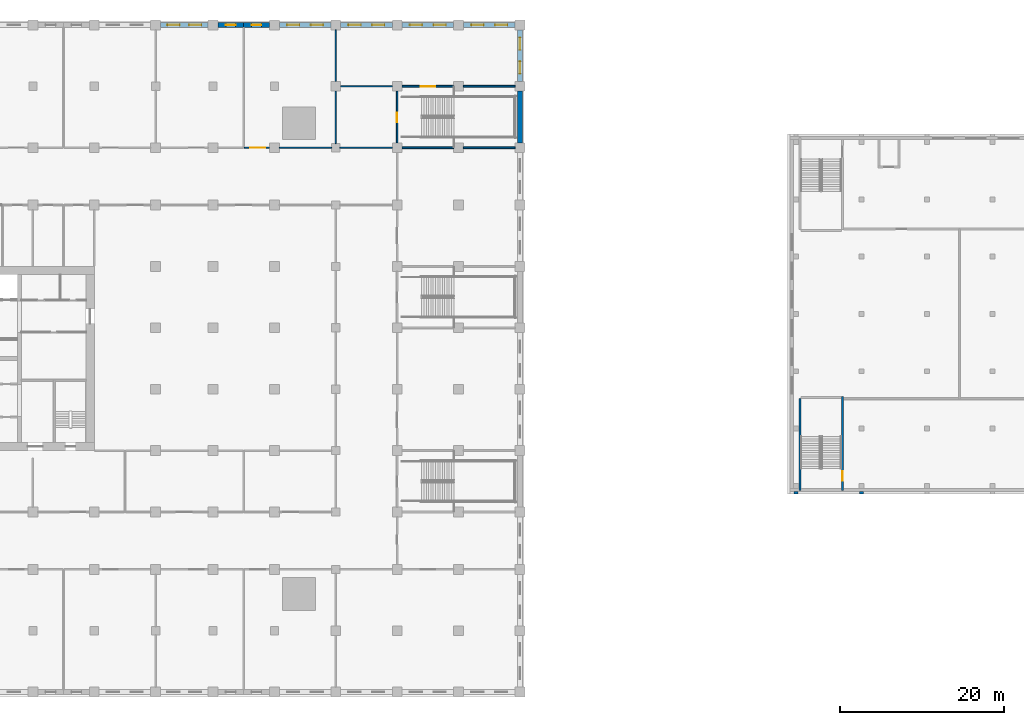
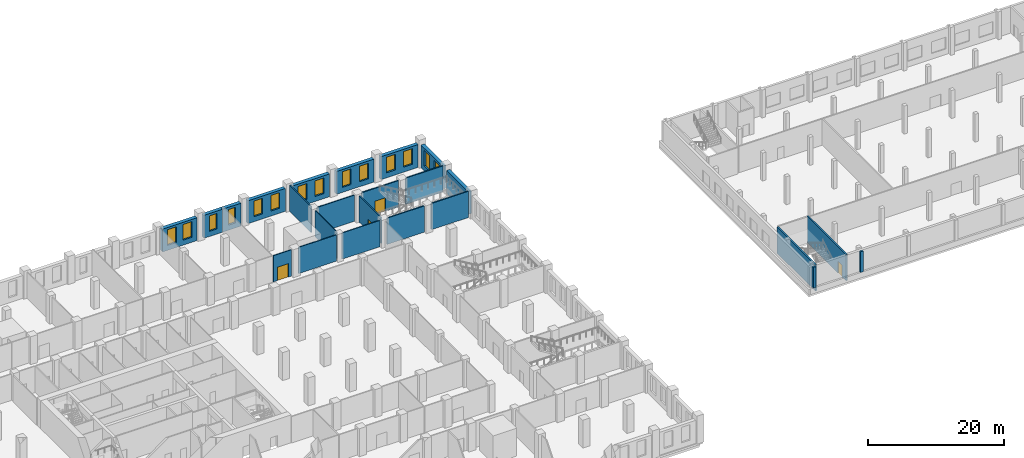
# One storey, part 10 of 32: 24 walls, 14 windows, 4 doors, 18 openings.
"""IFC4 building model written with IfcOpenShell, lengths in metres."""

from ifc_helpers import new_model, si_unit, direction, frame, frame_2d, origin, place, context, subcontext, project, spatial, rectangle, extrude, material, layer, layer_set, type_object, element, fill, save


model = new_model("IFC4")

# Units and contexts
model_context = context("Model", 3, precision=1e-05, world=origin(), true_north=direction((0.0, 1.0)))
body_context = subcontext(model_context, "Body", "Model", "MODEL_VIEW")
ifc_project = project(units=[si_unit("LENGTHUNIT", "METRE"), si_unit("AREAUNIT", "SQUARE_METRE"), si_unit("VOLUMEUNIT", "CUBIC_METRE"), si_unit("PLANEANGLEUNIT", "RADIAN"), si_unit("MASSUNIT", "GRAM", prefix="KILO")], contexts=[model_context])

# Site, building, storey
site_placement = place(None, origin())
site = spatial("IfcSite", under=ifc_project, at=site_placement, CompositionType="ELEMENT")
building_placement = place(site_placement, origin())
building = spatial("IfcBuilding", under=site, at=building_placement, Name="Tamorin Gate", CompositionType="ELEMENT")
storey_placement = place(building_placement, frame((0.0, 0.0, 18.5)))
storey = spatial("IfcBuildingStorey", under=building, at=storey_placement, Name="L03", CompositionType="ELEMENT", Elevation=18.5)

# Wall
ifc_material_1 = material(Name="Concrete C40/50", Category="concrete")
ifc_layer_1 = layer(ifc_material_1, 0.25)
ifc_layer_set_1 = layer_set([ifc_layer_1], Name="Museum stair and lift enclosure wall 250 C40/50")
wall_type_1 = type_object("IfcWallType", Name="Museum stair and lift enclosure wall 250 C40/50", PredefinedType="SHEAR", material=ifc_layer_set_1)
wall_1_placement = place(storey_placement, frame((146.175048828125, 55.14990234375, 0.0), z_axis=(0.0, 0.0, 1.0), x_axis=(0.0, 1.0, 0.0)))
element("IfcWall", 1, at=wall_1_placement, inside=storey, type_object=wall_type_1, Name="Stair PS8 wall", PredefinedType="SHEAR", context=body_context, shape_type="SweptSolid", body=[
    extrude(rectangle(XDim=11.210205078125, YDim=0.25, at=frame_2d((5.60498046875, 0.0))), origin(), (0.0, 0.0, 1.0), 4.699951171875),
])

# Wall, opening, door
wall_2_placement = place(storey_placement, frame((151.375, 55.14990234375, 0.0), z_axis=(0.0, 0.0, 1.0), x_axis=(0.0, 1.0, 0.0)))
wall_2 = element("IfcWall", 2, at=wall_2_placement, inside=storey, type_object=wall_type_1, Name="Stair PS8 wall", PredefinedType="SHEAR", context=body_context, shape_type="SweptSolid", body=[
    extrude(rectangle(XDim=11.460205078125, YDim=0.25, at=frame_2d((5.72998046875, 0.0))), origin(), (0.0, 0.0, 1.0), 4.699951171875),
])
opening_1_placement = place(wall_2_placement, frame((1.14990234375, 0.0, 0.0)))
opening_1 = element("IfcOpeningElement", 3, at=opening_1_placement, cuts=wall_2, Name="Opening DM17", PredefinedType="OPENING", context=body_context, shape_type="SweptSolid", body=[
    extrude(rectangle(XDim=1.199951171875, YDim=2.10009765625, at=frame_2d((0.60009765625, 1.050048828125))), frame((0.0, 0.135009765625, 0.0), z_axis=(0.0, -1.0, 0.0), x_axis=(1.0, 0.0, 0.0)), (0.0, 0.0, 1.0), 0.27001953125),
])
ifc_material_2 = material(Name="Steel, painted", Category="steel")
door_type_1 = type_object("IfcDoorType", Name="Museum stair door 1200x2100 FD90", OperationType="SINGLE_SWING_LEFT", PredefinedType="DOOR", material=ifc_material_2)
door_1_placement = place(opening_1_placement, origin())
door_1 = element("IfcDoor", 4, at=door_1_placement, inside=storey, type_object=door_type_1, Name="Stair door", OperationType="SINGLE_SWING_LEFT", OverallHeight=2.10009765625, OverallWidth=1.199951171875, PredefinedType="DOOR", context=body_context, shape_type="SweptSolid", body=[
    extrude(rectangle(XDim=1.199951171875, YDim=2.10009765625, at=frame_2d((0.60009765625, 1.050048828125))), frame((0.0, 0.02490234375, 0.0), z_axis=(0.0, -1.0, 0.0), x_axis=(1.0, 0.0, 0.0)), (0.0, 0.0, 1.0), 0.050048828125),
])
fill(opening_1, door_1)

ifc_material_3 = material(Name="Concrete masonry C20/25", Category="masonry")
ifc_layer_2 = layer(ifc_material_3, 0.14990234375)
ifc_layer_set_2 = layer_set([ifc_layer_2], Name="Partition 150")
wall_type_2 = type_object("IfcWallType", Name="Partition 150", PredefinedType="PARTITIONING", material=ifc_layer_set_2)
wall_3_placement = place(storey_placement, frame((81.39990234375, 97.0, 0.0), z_axis=(0.0, 0.0, 1.0), x_axis=(-1.0, 0.0, 0.0)))
wall_3 = element("IfcWall", 5, at=wall_3_placement, inside=storey, type_object=wall_type_2, Name="Partition 150 L03", PredefinedType="PARTITIONING", context=body_context, shape_type="SweptSolid", body=[
    extrude(rectangle(XDim=3.074951171875, YDim=0.14990234375, at=frame_2d((1.53759765625, 0.0))), origin(), (0.0, 0.0, 1.0), 4.699951171875),
])
opening_2_placement = place(wall_3_placement, frame((0.52490234375, 0.0, 0.0)))
opening_2 = element("IfcOpeningElement", 6, at=opening_2_placement, cuts=wall_3, Name="Opening DP3", PredefinedType="OPENING", context=body_context, shape_type="SweptSolid", body=[
    extrude(rectangle(XDim=1.800048828125, YDim=2.39990234375, at=frame_2d((0.89990234375, 1.199951171875))), frame((0.0, 0.0849609375, 0.0), z_axis=(0.0, -1.0, 0.0), x_axis=(1.0, 0.0, 0.0)), (0.0, 0.0, 1.0), 0.169921875),
])
ifc_material_4 = material(Name="Steel and glass", Category="steel")
door_type_2 = type_object("IfcDoorType", Name="Door pair 1800", OperationType="DOUBLE_DOOR_SINGLE_SWING", PredefinedType="DOOR", material=ifc_material_4)
door_2_placement = place(opening_2_placement, origin())
door_2 = element("IfcDoor", 7, at=door_2_placement, inside=storey, type_object=door_type_2, Name="Door pair 1800 L03", OperationType="SINGLE_SWING_LEFT", OverallHeight=2.39990234375, OverallWidth=1.800048828125, PredefinedType="DOOR", context=body_context, shape_type="SweptSolid", body=[
    extrude(rectangle(XDim=1.800048828125, YDim=2.39990234375, at=frame_2d((0.89990234375, 1.199951171875))), frame((0.0, 0.02490234375, 0.0), z_axis=(0.0, -1.0, 0.0), x_axis=(1.0, 0.0, 0.0)), (0.0, 0.0, 1.0), 0.050048828125),
])
fill(opening_2, door_2)

# Walls
for number, where, z_axis, x_axis, name in (
    (8, (82.60009765625, 97.0, 0.0), (0.0, 0.0, 1.0), (1.0, 0.0, 0.0), "Partition 150 L03"),
    (9, (90.0, 97.0, 0.0), (0.0, 0.0, 1.0), (1.0, 0.0, 0.0), "Partition 150 L03"),
):
    element("IfcWall", number, at=place(storey_placement, frame(where, z_axis=z_axis, x_axis=x_axis)), inside=storey, type_object=wall_type_2, Name=name, PredefinedType="PARTITIONING", context=body_context, shape_type="SweptSolid", body=[
        extrude(rectangle(XDim=6.39990234375, YDim=0.14990234375, at=frame_2d((3.199951171875, 0.0))), origin(), (0.0, 0.0, 1.0), 4.699951171875),
    ])
wall_4_placement = place(storey_placement, frame((90.10009765625, 104.5, 0.0), z_axis=(0.0, 0.0, 1.0), x_axis=(1.0, 0.0, 0.0)))
element("IfcWall", 10, at=wall_4_placement, inside=storey, type_object=wall_type_2, Name="Partition 150 L03", PredefinedType="PARTITIONING", context=body_context, shape_type="SweptSolid", body=[
    extrude(rectangle(XDim=6.2998046875, YDim=0.14990234375, at=frame_2d((3.14990234375, 0.0))), origin(), (0.0, 0.0, 1.0), 4.699951171875),
])
wall_5_placement = place(storey_placement, frame((89.5, 97.5, 0.0), z_axis=(0.0, 0.0, 1.0), x_axis=(0.0, 1.0, 0.0)))
element("IfcWall", 11, at=wall_5_placement, inside=storey, type_object=wall_type_2, Name="Partition 150 L03", PredefinedType="PARTITIONING", context=body_context, shape_type="SweptSolid", body=[
    extrude(rectangle(XDim=6.39990234375, YDim=0.14990234375, at=frame_2d((3.199951171875, 0.0))), origin(), (0.0, 0.0, 1.0), 4.699951171875),
])
wall_6_placement = place(storey_placement, frame((89.5, 105.10009765625, 0.0), z_axis=(0.0, 0.0, 1.0), x_axis=(0.0, 1.0, 0.0)))
element("IfcWall", 12, at=wall_6_placement, inside=storey, type_object=wall_type_2, Name="Partition 150 L03", PredefinedType="PARTITIONING", context=body_context, shape_type="SweptSolid", body=[
    extrude(rectangle(XDim=6.2998046875, YDim=0.14990234375, at=frame_2d((3.14990234375, 0.0))), origin(), (0.0, 0.0, 1.0), 4.699951171875),
])

# Wall, openings, windows
ifc_material_5 = material(Name="Precast concrete C40/50", Category="concrete")
ifc_layer_3 = layer(ifc_material_5, 0.60009765625)
ifc_layer_set_3 = layer_set([ifc_layer_3], Name="Precast concrete C40/50")
wall_type_3 = type_object("IfcWallType", Name="Precast plinth wall 600", PredefinedType="PARTITIONING", material=ifc_layer_set_3)
wall_7_placement = place(storey_placement, frame((68.10009765625, 112.0, 0.0), z_axis=(0.0, 0.0, 1.0), x_axis=(1.0, 0.0, 0.0)))
wall_7 = element("IfcWall", 13, at=wall_7_placement, inside=storey, type_object=wall_type_3, Name="Precast plinth wall 600 L03", PredefinedType="PARTITIONING", context=body_context, shape_type="SweptSolid", body=[
    extrude(rectangle(XDim=5.7998046875, YDim=0.60009765625, at=frame_2d((2.89990234375, 0.0))), origin(), (0.0, 0.0, 1.0), 4.10009765625),
])
opening_3_placement = place(wall_7_placement, frame((0.81591796875, 0.0, 0.89990234375)))
opening_3 = element("IfcOpeningElement", 14, at=opening_3_placement, cuts=wall_7, Name="Opening PWN5", PredefinedType="OPENING", context=body_context, shape_type="SweptSolid", body=[
    extrude(rectangle(XDim=1.5, YDim=2.800048828125, at=frame_2d((0.75, 1.39990234375))), frame((0.0, 0.31005859375, 0.0), z_axis=(0.0, -1.0, 0.0), x_axis=(1.0, 0.0, 0.0)), (0.0, 0.0, 1.0), 0.6201171875),
])
opening_4_placement = place(wall_7_placement, frame((3.48388671875, 0.0, 0.89990234375)))
opening_4 = element("IfcOpeningElement", 15, at=opening_4_placement, cuts=wall_7, Name="Opening PWN5", PredefinedType="OPENING", context=body_context, shape_type="SweptSolid", body=[
    extrude(rectangle(XDim=1.5, YDim=2.800048828125, at=frame_2d((0.75, 1.39990234375))), frame((0.0, 0.31005859375, 0.0), z_axis=(0.0, -1.0, 0.0), x_axis=(1.0, 0.0, 0.0)), (0.0, 0.0, 1.0), 0.6201171875),
])
ifc_material_6 = material(Name="Aluminium and glass", Category="aluminium")
window_type_1 = type_object("IfcWindowType", Name="Plinth window 1500x2800", PartitioningType="DOUBLE_PANEL_VERTICAL", PredefinedType="WINDOW", material=ifc_material_6)
window_1_placement = place(opening_3_placement, origin())
window_1 = element("IfcWindow", 16, at=window_1_placement, inside=storey, type_object=window_type_1, Name="Plinth window 1500x2800", OverallHeight=2.800048828125, OverallWidth=1.5, PartitioningType="SINGLE_PANEL", PredefinedType="WINDOW", context=body_context, shape_type="SweptSolid", body=[
    extrude(rectangle(XDim=1.5, YDim=2.800048828125, at=frame_2d((0.75, 1.39990234375))), frame((0.0, 0.030029296875, 0.0), z_axis=(0.0, -1.0, 0.0), x_axis=(1.0, 0.0, 0.0)), (0.0, 0.0, 1.0), 0.06005859375),
])
fill(opening_3, window_1)
window_2_placement = place(opening_4_placement, origin())
window_2 = element("IfcWindow", 17, at=window_2_placement, inside=storey, type_object=window_type_1, Name="Plinth window 1500x2800", OverallHeight=2.800048828125, OverallWidth=1.5, PartitioningType="SINGLE_PANEL", PredefinedType="WINDOW", context=body_context, shape_type="SweptSolid", body=[
    extrude(rectangle(XDim=1.5, YDim=2.800048828125, at=frame_2d((0.75, 1.39990234375))), frame((0.0, 0.030029296875, 0.0), z_axis=(0.0, -1.0, 0.0), x_axis=(1.0, 0.0, 0.0)), (0.0, 0.0, 1.0), 0.06005859375),
])
fill(opening_4, window_2)

# Wall, opening, window
wall_8_placement = place(storey_placement, frame((75.10009765625, 112.0, 0.0), z_axis=(0.0, 0.0, 1.0), x_axis=(1.0, 0.0, 0.0)))
wall_8 = element("IfcWall", 18, at=wall_8_placement, inside=storey, type_object=wall_type_3, Name="Precast plinth wall 600 L03", PredefinedType="PARTITIONING", context=body_context, shape_type="SweptSolid", body=[
    extrude(rectangle(XDim=3.14990234375, YDim=0.60009765625, at=frame_2d((1.574951171875, 0.0))), origin(), (0.0, 0.0, 1.0), 4.10009765625),
])
opening_5_placement = place(wall_8_placement, frame((0.97509765625, 0.0, 0.89990234375)))
opening_5 = element("IfcOpeningElement", 19, at=opening_5_placement, cuts=wall_8, Name="Opening PWN4", PredefinedType="OPENING", context=body_context, shape_type="SweptSolid", body=[
    extrude(rectangle(XDim=1.199951171875, YDim=2.800048828125, at=frame_2d((0.60009765625, 1.39990234375))), frame((0.0, 0.31005859375, 0.0), z_axis=(0.0, -1.0, 0.0), x_axis=(1.0, 0.0, 0.0)), (0.0, 0.0, 1.0), 0.6201171875),
])
window_type_2 = type_object("IfcWindowType", Name="Plinth window 1200x2800", PartitioningType="DOUBLE_PANEL_VERTICAL", PredefinedType="WINDOW", material=ifc_material_6)
window_3_placement = place(opening_5_placement, origin())
window_3 = element("IfcWindow", 20, at=window_3_placement, inside=storey, type_object=window_type_2, Name="Plinth window 1200x2800", OverallHeight=2.800048828125, OverallWidth=1.199951171875, PartitioningType="SINGLE_PANEL", PredefinedType="WINDOW", context=body_context, shape_type="SweptSolid", body=[
    extrude(rectangle(XDim=1.199951171875, YDim=2.800048828125, at=frame_2d((0.60009765625, 1.39990234375))), frame((0.0, 0.030029296875, 0.0), z_axis=(0.0, -1.0, 0.0), x_axis=(1.0, 0.0, 0.0)), (0.0, 0.0, 1.0), 0.06005859375),
])
fill(opening_5, window_3)

wall_9_placement = place(storey_placement, frame((78.25, 112.0, 0.0), z_axis=(0.0, 0.0, 1.0), x_axis=(1.0, 0.0, 0.0)))
wall_9 = element("IfcWall", 21, at=wall_9_placement, inside=storey, type_object=wall_type_3, Name="Precast plinth wall 600 L03", PredefinedType="PARTITIONING", context=body_context, shape_type="SweptSolid", body=[
    extrude(rectangle(XDim=3.14990234375, YDim=0.60009765625, at=frame_2d((1.574951171875, 0.0))), origin(), (0.0, 0.0, 1.0), 4.10009765625),
])
opening_6_placement = place(wall_9_placement, frame((0.97509765625, 0.0, 0.89990234375)))
opening_6 = element("IfcOpeningElement", 22, at=opening_6_placement, cuts=wall_9, Name="Opening PWN4", PredefinedType="OPENING", context=body_context, shape_type="SweptSolid", body=[
    extrude(rectangle(XDim=1.199951171875, YDim=2.800048828125, at=frame_2d((0.60009765625, 1.39990234375))), frame((0.0, 0.31005859375, 0.0), z_axis=(0.0, -1.0, 0.0), x_axis=(1.0, 0.0, 0.0)), (0.0, 0.0, 1.0), 0.6201171875),
])
window_4_placement = place(opening_6_placement, origin())
window_4 = element("IfcWindow", 23, at=window_4_placement, inside=storey, type_object=window_type_2, Name="Plinth window 1200x2800", OverallHeight=2.800048828125, OverallWidth=1.199951171875, PartitioningType="SINGLE_PANEL", PredefinedType="WINDOW", context=body_context, shape_type="SweptSolid", body=[
    extrude(rectangle(XDim=1.199951171875, YDim=2.800048828125, at=frame_2d((0.60009765625, 1.39990234375))), frame((0.0, 0.030029296875, 0.0), z_axis=(0.0, -1.0, 0.0), x_axis=(1.0, 0.0, 0.0)), (0.0, 0.0, 1.0), 0.06005859375),
])
fill(opening_6, window_4)

# Wall, openings, windows
wall_10_placement = place(storey_placement, frame((82.60009765625, 112.0, 0.0), z_axis=(0.0, 0.0, 1.0), x_axis=(1.0, 0.0, 0.0)))
wall_10 = element("IfcWall", 24, at=wall_10_placement, inside=storey, type_object=wall_type_3, Name="Precast plinth wall 600 L03", PredefinedType="PARTITIONING", context=body_context, shape_type="SweptSolid", body=[
    extrude(rectangle(XDim=6.2998046875, YDim=0.60009765625, at=frame_2d((3.14990234375, 0.0))), origin(), (0.0, 0.0, 1.0), 4.10009765625),
])
opening_7_placement = place(wall_10_placement, frame((0.950927734375, 0.0, 0.89990234375)))
opening_7 = element("IfcOpeningElement", 25, at=opening_7_placement, cuts=wall_10, Name="Opening PWN5", PredefinedType="OPENING", context=body_context, shape_type="SweptSolid", body=[
    extrude(rectangle(XDim=1.5, YDim=2.800048828125, at=frame_2d((0.75, 1.39990234375))), frame((0.0, 0.31005859375, 0.0), z_axis=(0.0, -1.0, 0.0), x_axis=(1.0, 0.0, 0.0)), (0.0, 0.0, 1.0), 0.6201171875),
])
opening_8_placement = place(wall_10_placement, frame((3.84912109375, 0.0, 0.89990234375)))
opening_8 = element("IfcOpeningElement", 26, at=opening_8_placement, cuts=wall_10, Name="Opening PWN5", PredefinedType="OPENING", context=body_context, shape_type="SweptSolid", body=[
    extrude(rectangle(XDim=1.5, YDim=2.800048828125, at=frame_2d((0.75, 1.39990234375))), frame((0.0, 0.31005859375, 0.0), z_axis=(0.0, -1.0, 0.0), x_axis=(1.0, 0.0, 0.0)), (0.0, 0.0, 1.0), 0.6201171875),
])
window_5_placement = place(opening_7_placement, origin())
window_5 = element("IfcWindow", 27, at=window_5_placement, inside=storey, type_object=window_type_1, Name="Plinth window 1500x2800", OverallHeight=2.800048828125, OverallWidth=1.5, PartitioningType="SINGLE_PANEL", PredefinedType="WINDOW", context=body_context, shape_type="SweptSolid", body=[
    extrude(rectangle(XDim=1.5, YDim=2.800048828125, at=frame_2d((0.75, 1.39990234375))), frame((0.0, 0.030029296875, 0.0), z_axis=(0.0, -1.0, 0.0), x_axis=(1.0, 0.0, 0.0)), (0.0, 0.0, 1.0), 0.06005859375),
])
fill(opening_7, window_5)
window_6_placement = place(opening_8_placement, origin())
window_6 = element("IfcWindow", 28, at=window_6_placement, inside=storey, type_object=window_type_1, Name="Plinth window 1500x2800", OverallHeight=2.800048828125, OverallWidth=1.5, PartitioningType="SINGLE_PANEL", PredefinedType="WINDOW", context=body_context, shape_type="SweptSolid", body=[
    extrude(rectangle(XDim=1.5, YDim=2.800048828125, at=frame_2d((0.75, 1.39990234375))), frame((0.0, 0.030029296875, 0.0), z_axis=(0.0, -1.0, 0.0), x_axis=(1.0, 0.0, 0.0)), (0.0, 0.0, 1.0), 0.06005859375),
])
fill(opening_8, window_6)

wall_11_placement = place(storey_placement, frame((90.10009765625, 112.0, 0.0), z_axis=(0.0, 0.0, 1.0), x_axis=(1.0, 0.0, 0.0)))
wall_11 = element("IfcWall", 29, at=wall_11_placement, inside=storey, type_object=wall_type_3, Name="Precast plinth wall 600 L03", PredefinedType="PARTITIONING", context=body_context, shape_type="SweptSolid", body=[
    extrude(rectangle(XDim=6.2998046875, YDim=0.60009765625, at=frame_2d((3.14990234375, 0.0))), origin(), (0.0, 0.0, 1.0), 4.10009765625),
])
opening_9_placement = place(wall_11_placement, frame((0.950927734375, 0.0, 0.89990234375)))
opening_9 = element("IfcOpeningElement", 30, at=opening_9_placement, cuts=wall_11, Name="Opening PWN5", PredefinedType="OPENING", context=body_context, shape_type="SweptSolid", body=[
    extrude(rectangle(XDim=1.5, YDim=2.800048828125, at=frame_2d((0.75, 1.39990234375))), frame((0.0, 0.31005859375, 0.0), z_axis=(0.0, -1.0, 0.0), x_axis=(1.0, 0.0, 0.0)), (0.0, 0.0, 1.0), 0.6201171875),
])
opening_10_placement = place(wall_11_placement, frame((3.84912109375, 0.0, 0.89990234375)))
opening_10 = element("IfcOpeningElement", 31, at=opening_10_placement, cuts=wall_11, Name="Opening PWN5", PredefinedType="OPENING", context=body_context, shape_type="SweptSolid", body=[
    extrude(rectangle(XDim=1.5, YDim=2.800048828125, at=frame_2d((0.75, 1.39990234375))), frame((0.0, 0.31005859375, 0.0), z_axis=(0.0, -1.0, 0.0), x_axis=(1.0, 0.0, 0.0)), (0.0, 0.0, 1.0), 0.6201171875),
])
window_7_placement = place(opening_9_placement, origin())
window_7 = element("IfcWindow", 32, at=window_7_placement, inside=storey, type_object=window_type_1, Name="Plinth window 1500x2800", OverallHeight=2.800048828125, OverallWidth=1.5, PartitioningType="SINGLE_PANEL", PredefinedType="WINDOW", context=body_context, shape_type="SweptSolid", body=[
    extrude(rectangle(XDim=1.5, YDim=2.800048828125, at=frame_2d((0.75, 1.39990234375))), frame((0.0, 0.030029296875, 0.0), z_axis=(0.0, -1.0, 0.0), x_axis=(1.0, 0.0, 0.0)), (0.0, 0.0, 1.0), 0.06005859375),
])
fill(opening_9, window_7)
window_8_placement = place(opening_10_placement, origin())
window_8 = element("IfcWindow", 33, at=window_8_placement, inside=storey, type_object=window_type_1, Name="Plinth window 1500x2800", OverallHeight=2.800048828125, OverallWidth=1.5, PartitioningType="SINGLE_PANEL", PredefinedType="WINDOW", context=body_context, shape_type="SweptSolid", body=[
    extrude(rectangle(XDim=1.5, YDim=2.800048828125, at=frame_2d((0.75, 1.39990234375))), frame((0.0, 0.030029296875, 0.0), z_axis=(0.0, -1.0, 0.0), x_axis=(1.0, 0.0, 0.0)), (0.0, 0.0, 1.0), 0.06005859375),
])
fill(opening_10, window_8)

wall_12_placement = place(storey_placement, frame((97.60009765625, 112.0, 0.0), z_axis=(0.0, 0.0, 1.0), x_axis=(1.0, 0.0, 0.0)))
wall_12 = element("IfcWall", 34, at=wall_12_placement, inside=storey, type_object=wall_type_3, Name="Precast plinth wall 600 L03", PredefinedType="PARTITIONING", context=body_context, shape_type="SweptSolid", body=[
    extrude(rectangle(XDim=6.2998046875, YDim=0.60009765625, at=frame_2d((3.14990234375, 0.0))), origin(), (0.0, 0.0, 1.0), 4.10009765625),
])
opening_11_placement = place(wall_12_placement, frame((0.950927734375, 0.0, 0.89990234375)))
opening_11 = element("IfcOpeningElement", 35, at=opening_11_placement, cuts=wall_12, Name="Opening PWN5", PredefinedType="OPENING", context=body_context, shape_type="SweptSolid", body=[
    extrude(rectangle(XDim=1.5, YDim=2.800048828125, at=frame_2d((0.75, 1.39990234375))), frame((0.0, 0.31005859375, 0.0), z_axis=(0.0, -1.0, 0.0), x_axis=(1.0, 0.0, 0.0)), (0.0, 0.0, 1.0), 0.6201171875),
])
opening_12_placement = place(wall_12_placement, frame((3.84912109375, 0.0, 0.89990234375)))
opening_12 = element("IfcOpeningElement", 36, at=opening_12_placement, cuts=wall_12, Name="Opening PWN5", PredefinedType="OPENING", context=body_context, shape_type="SweptSolid", body=[
    extrude(rectangle(XDim=1.5, YDim=2.800048828125, at=frame_2d((0.75, 1.39990234375))), frame((0.0, 0.31005859375, 0.0), z_axis=(0.0, -1.0, 0.0), x_axis=(1.0, 0.0, 0.0)), (0.0, 0.0, 1.0), 0.6201171875),
])
window_9_placement = place(opening_11_placement, origin())
window_9 = element("IfcWindow", 37, at=window_9_placement, inside=storey, type_object=window_type_1, Name="Plinth window 1500x2800", OverallHeight=2.800048828125, OverallWidth=1.5, PartitioningType="SINGLE_PANEL", PredefinedType="WINDOW", context=body_context, shape_type="SweptSolid", body=[
    extrude(rectangle(XDim=1.5, YDim=2.800048828125, at=frame_2d((0.75, 1.39990234375))), frame((0.0, 0.030029296875, 0.0), z_axis=(0.0, -1.0, 0.0), x_axis=(1.0, 0.0, 0.0)), (0.0, 0.0, 1.0), 0.06005859375),
])
fill(opening_11, window_9)
window_10_placement = place(opening_12_placement, origin())
window_10 = element("IfcWindow", 38, at=window_10_placement, inside=storey, type_object=window_type_1, Name="Plinth window 1500x2800", OverallHeight=2.800048828125, OverallWidth=1.5, PartitioningType="SINGLE_PANEL", PredefinedType="WINDOW", context=body_context, shape_type="SweptSolid", body=[
    extrude(rectangle(XDim=1.5, YDim=2.800048828125, at=frame_2d((0.75, 1.39990234375))), frame((0.0, 0.030029296875, 0.0), z_axis=(0.0, -1.0, 0.0), x_axis=(1.0, 0.0, 0.0)), (0.0, 0.0, 1.0), 0.06005859375),
])
fill(opening_12, window_10)

wall_13_placement = place(storey_placement, frame((105.10009765625, 112.0, 0.0), z_axis=(0.0, 0.0, 1.0), x_axis=(1.0, 0.0, 0.0)))
wall_13 = element("IfcWall", 39, at=wall_13_placement, inside=storey, type_object=wall_type_3, Name="Precast plinth wall 600 L03", PredefinedType="PARTITIONING", context=body_context, shape_type="SweptSolid", body=[
    extrude(rectangle(XDim=6.2998046875, YDim=0.60009765625, at=frame_2d((3.14990234375, 0.0))), origin(), (0.0, 0.0, 1.0), 4.10009765625),
])
opening_13_placement = place(wall_13_placement, frame((0.950927734375, 0.0, 0.89990234375)))
opening_13 = element("IfcOpeningElement", 40, at=opening_13_placement, cuts=wall_13, Name="Opening PWN5", PredefinedType="OPENING", context=body_context, shape_type="SweptSolid", body=[
    extrude(rectangle(XDim=1.5, YDim=2.800048828125, at=frame_2d((0.75, 1.39990234375))), frame((0.0, 0.31005859375, 0.0), z_axis=(0.0, -1.0, 0.0), x_axis=(1.0, 0.0, 0.0)), (0.0, 0.0, 1.0), 0.6201171875),
])
opening_14_placement = place(wall_13_placement, frame((3.84912109375, 0.0, 0.89990234375)))
opening_14 = element("IfcOpeningElement", 41, at=opening_14_placement, cuts=wall_13, Name="Opening PWN5", PredefinedType="OPENING", context=body_context, shape_type="SweptSolid", body=[
    extrude(rectangle(XDim=1.5, YDim=2.800048828125, at=frame_2d((0.75, 1.39990234375))), frame((0.0, 0.31005859375, 0.0), z_axis=(0.0, -1.0, 0.0), x_axis=(1.0, 0.0, 0.0)), (0.0, 0.0, 1.0), 0.6201171875),
])
window_11_placement = place(opening_13_placement, origin())
window_11 = element("IfcWindow", 42, at=window_11_placement, inside=storey, type_object=window_type_1, Name="Plinth window 1500x2800", OverallHeight=2.800048828125, OverallWidth=1.5, PartitioningType="SINGLE_PANEL", PredefinedType="WINDOW", context=body_context, shape_type="SweptSolid", body=[
    extrude(rectangle(XDim=1.5, YDim=2.800048828125, at=frame_2d((0.75, 1.39990234375))), frame((0.0, 0.030029296875, 0.0), z_axis=(0.0, -1.0, 0.0), x_axis=(1.0, 0.0, 0.0)), (0.0, 0.0, 1.0), 0.06005859375),
])
fill(opening_13, window_11)
window_12_placement = place(opening_14_placement, origin())
window_12 = element("IfcWindow", 43, at=window_12_placement, inside=storey, type_object=window_type_1, Name="Plinth window 1500x2800", OverallHeight=2.800048828125, OverallWidth=1.5, PartitioningType="SINGLE_PANEL", PredefinedType="WINDOW", context=body_context, shape_type="SweptSolid", body=[
    extrude(rectangle(XDim=1.5, YDim=2.800048828125, at=frame_2d((0.75, 1.39990234375))), frame((0.0, 0.030029296875, 0.0), z_axis=(0.0, -1.0, 0.0), x_axis=(1.0, 0.0, 0.0)), (0.0, 0.0, 1.0), 0.06005859375),
])
fill(opening_14, window_12)

# Wall
wall_14_placement = place(storey_placement, frame((112.0, 97.60009765625, 0.0), z_axis=(0.0, 0.0, 1.0), x_axis=(0.0, 1.0, 0.0)))
element("IfcWall", 44, at=wall_14_placement, inside=storey, type_object=wall_type_3, Name="Precast plinth wall 600 L03", PredefinedType="PARTITIONING", context=body_context, shape_type="SweptSolid", body=[
    extrude(rectangle(XDim=6.2998046875, YDim=0.60009765625, at=frame_2d((3.14990234375, 0.0))), origin(), (0.0, 0.0, 1.0), 4.10009765625),
])

# Wall, openings, windows
wall_15_placement = place(storey_placement, frame((112.0, 105.10009765625, 0.0), z_axis=(0.0, 0.0, 1.0), x_axis=(0.0, 1.0, 0.0)))
wall_15 = element("IfcWall", 45, at=wall_15_placement, inside=storey, type_object=wall_type_3, Name="Precast plinth wall 600 L03", PredefinedType="PARTITIONING", context=body_context, shape_type="SweptSolid", body=[
    extrude(rectangle(XDim=6.2998046875, YDim=0.60009765625, at=frame_2d((3.14990234375, 0.0))), origin(), (0.0, 0.0, 1.0), 4.10009765625),
])
opening_15_placement = place(wall_15_placement, frame((0.950927734375, 0.0, 0.89990234375)))
opening_15 = element("IfcOpeningElement", 46, at=opening_15_placement, cuts=wall_15, Name="Opening PWN5", PredefinedType="OPENING", context=body_context, shape_type="SweptSolid", body=[
    extrude(rectangle(XDim=1.5, YDim=2.800048828125, at=frame_2d((0.75, 1.39990234375))), frame((0.0, 0.31005859375, 0.0), z_axis=(0.0, -1.0, 0.0), x_axis=(1.0, 0.0, 0.0)), (0.0, 0.0, 1.0), 0.6201171875),
])
opening_16_placement = place(wall_15_placement, frame((3.84912109375, 0.0, 0.89990234375)))
opening_16 = element("IfcOpeningElement", 47, at=opening_16_placement, cuts=wall_15, Name="Opening PWN5", PredefinedType="OPENING", context=body_context, shape_type="SweptSolid", body=[
    extrude(rectangle(XDim=1.5, YDim=2.800048828125, at=frame_2d((0.75, 1.39990234375))), frame((0.0, 0.31005859375, 0.0), z_axis=(0.0, -1.0, 0.0), x_axis=(1.0, 0.0, 0.0)), (0.0, 0.0, 1.0), 0.6201171875),
])
window_13_placement = place(opening_15_placement, origin())
window_13 = element("IfcWindow", 48, at=window_13_placement, inside=storey, type_object=window_type_1, Name="Plinth window 1500x2800", OverallHeight=2.800048828125, OverallWidth=1.5, PartitioningType="SINGLE_PANEL", PredefinedType="WINDOW", context=body_context, shape_type="SweptSolid", body=[
    extrude(rectangle(XDim=1.5, YDim=2.800048828125, at=frame_2d((0.75, 1.39990234375))), frame((0.0, 0.030029296875, 0.0), z_axis=(0.0, -1.0, 0.0), x_axis=(1.0, 0.0, 0.0)), (0.0, 0.0, 1.0), 0.06005859375),
])
fill(opening_15, window_13)
window_14_placement = place(opening_16_placement, origin())
window_14 = element("IfcWindow", 49, at=window_14_placement, inside=storey, type_object=window_type_1, Name="Plinth window 1500x2800", OverallHeight=2.800048828125, OverallWidth=1.5, PartitioningType="SINGLE_PANEL", PredefinedType="WINDOW", context=body_context, shape_type="SweptSolid", body=[
    extrude(rectangle(XDim=1.5, YDim=2.800048828125, at=frame_2d((0.75, 1.39990234375))), frame((0.0, 0.030029296875, 0.0), z_axis=(0.0, -1.0, 0.0), x_axis=(1.0, 0.0, 0.0)), (0.0, 0.0, 1.0), 0.06005859375),
])
fill(opening_16, window_14)

# Walls
ifc_layer_4 = layer(ifc_material_1, 0.5)
ifc_layer_set_4 = layer_set([ifc_layer_4], Name="Precast rib wall 500 C40/50")
wall_type_4 = type_object("IfcWallType", Name="Precast rib wall 500 C40/50", PredefinedType="STANDARD", material=ifc_layer_set_4)
for number, where, z_axis, x_axis, name in (
    (50, (145.699951171875, 54.699951171875, 1.0), (0.0, 0.0, 1.0), (0.0, 1.0, 0.0), "Precast rib"),
    (51, (153.699951171875, 54.699951171875, 1.0), (0.0, 0.0, 1.0), (0.0, 1.0, 0.0), "Precast rib"),
):
    element("IfcWall", number, at=place(storey_placement, frame(where, z_axis=z_axis, x_axis=x_axis)), inside=storey, type_object=wall_type_4, Name=name, PredefinedType="STANDARD", context=body_context, shape_type="SweptSolid", body=[
        extrude(rectangle(XDim=0.300048828125, YDim=0.5, at=frame_2d((0.14990234375, 0.0))), origin(), (0.0, 0.0, 1.0), 3.699951171875),
    ])
ifc_layer_5 = layer(ifc_material_1, 0.199951171875)
ifc_layer_set_5 = layer_set([ifc_layer_5], Name="Stair enclosure 200")
wall_type_5 = type_object("IfcWallType", Name="Stair enclosure 200", PredefinedType="SHEAR", material=ifc_layer_set_5)
for number, where, z_axis, x_axis, name in (
    (52, (97.60009765625, 97.0, 0.0), (0.0, 0.0, 1.0), (1.0, 0.0, 0.0), "Stair enclosure 200 L03"),
    (53, (105.10009765625, 97.0, 0.0), (0.0, 0.0, 1.0), (1.0, 0.0, 0.0), "Stair enclosure 200 L03"),
):
    element("IfcWall", number, at=place(storey_placement, frame(where, z_axis=z_axis, x_axis=x_axis)), inside=storey, type_object=wall_type_5, Name=name, PredefinedType="SHEAR", context=body_context, shape_type="SweptSolid", body=[
        extrude(rectangle(XDim=6.2998046875, YDim=0.199951171875, at=frame_2d((3.14990234375, 0.0))), origin(), (0.0, 0.0, 1.0), 4.699951171875),
    ])

# Wall, opening, door
wall_16_placement = place(storey_placement, frame((103.89990234375, 104.5, 0.0), z_axis=(0.0, 0.0, 1.0), x_axis=(-1.0, 0.0, 0.0)))
wall_16 = element("IfcWall", 54, at=wall_16_placement, inside=storey, type_object=wall_type_5, Name="Stair enclosure 200 L03", PredefinedType="SHEAR", context=body_context, shape_type="SweptSolid", body=[
    extrude(rectangle(XDim=6.2998046875, YDim=0.199951171875, at=frame_2d((3.14990234375, 0.0))), origin(), (0.0, 0.0, 1.0), 4.699951171875),
])
opening_17_placement = place(wall_16_placement, frame((2.25, 0.0, 0.0)))
opening_17 = element("IfcOpeningElement", 55, at=opening_17_placement, cuts=wall_16, Name="Opening DP3", PredefinedType="OPENING", context=body_context, shape_type="SweptSolid", body=[
    extrude(rectangle(XDim=1.800048828125, YDim=2.39990234375, at=frame_2d((0.89990234375, 1.199951171875))), frame((0.0, 0.10986328125, 0.0), z_axis=(0.0, -1.0, 0.0), x_axis=(1.0, 0.0, 0.0)), (0.0, 0.0, 1.0), 0.219970703125),
])
door_3_placement = place(opening_17_placement, origin())
door_3 = element("IfcDoor", 56, at=door_3_placement, inside=storey, type_object=door_type_2, Name="Door pair 1800 L03", OperationType="SINGLE_SWING_LEFT", OverallHeight=2.39990234375, OverallWidth=1.800048828125, PredefinedType="DOOR", context=body_context, shape_type="SweptSolid", body=[
    extrude(rectangle(XDim=1.800048828125, YDim=2.39990234375, at=frame_2d((0.89990234375, 1.199951171875))), frame((0.0, 0.02490234375, 0.0), z_axis=(0.0, -1.0, 0.0), x_axis=(1.0, 0.0, 0.0)), (0.0, 0.0, 1.0), 0.050048828125),
])
fill(opening_17, door_3)

# Wall
wall_17_placement = place(storey_placement, frame((105.10009765625, 104.5, 0.0), z_axis=(0.0, 0.0, 1.0), x_axis=(1.0, 0.0, 0.0)))
element("IfcWall", 57, at=wall_17_placement, inside=storey, type_object=wall_type_5, Name="Stair enclosure 200 L03", PredefinedType="SHEAR", context=body_context, shape_type="SweptSolid", body=[
    extrude(rectangle(XDim=6.2998046875, YDim=0.199951171875, at=frame_2d((3.14990234375, 0.0))), origin(), (0.0, 0.0, 1.0), 4.699951171875),
])

# Wall, opening, door
wall_18_placement = place(storey_placement, frame((97.0, 103.89990234375, 0.0), z_axis=(0.0, 0.0, 1.0), x_axis=(0.0, -1.0, 0.0)))
wall_18 = element("IfcWall", 58, at=wall_18_placement, inside=storey, type_object=wall_type_5, Name="Stair enclosure 200 L03", PredefinedType="SHEAR", context=body_context, shape_type="SweptSolid", body=[
    extrude(rectangle(XDim=6.2998046875, YDim=0.199951171875, at=frame_2d((3.14990234375, 0.0))), origin(), (0.0, 0.0, 1.0), 4.699951171875),
])
opening_18_placement = place(wall_18_placement, frame((2.60009765625, 0.0, 0.0)))
opening_18 = element("IfcOpeningElement", 59, at=opening_18_placement, cuts=wall_18, Name="Opening DP5", PredefinedType="OPENING", context=body_context, shape_type="SweptSolid", body=[
    extrude(rectangle(XDim=1.199951171875, YDim=2.10009765625, at=frame_2d((0.60009765625, 1.050048828125))), frame((0.0, 0.10986328125, 0.0), z_axis=(0.0, -1.0, 0.0), x_axis=(1.0, 0.0, 0.0)), (0.0, 0.0, 1.0), 0.219970703125),
])
ifc_material_7 = material(Name="Painted steel", Category="steel")
door_type_3 = type_object("IfcDoorType", Name="Stair door 1200", OperationType="SINGLE_SWING_LEFT", PredefinedType="DOOR", material=ifc_material_7)
door_4_placement = place(opening_18_placement, origin())
door_4 = element("IfcDoor", 60, at=door_4_placement, inside=storey, type_object=door_type_3, Name="Stair door 1200 L03", OperationType="SINGLE_SWING_LEFT", OverallHeight=2.10009765625, OverallWidth=1.199951171875, PredefinedType="DOOR", context=body_context, shape_type="SweptSolid", body=[
    extrude(rectangle(XDim=1.199951171875, YDim=2.10009765625, at=frame_2d((0.60009765625, 1.050048828125))), frame((0.0, 0.02490234375, 0.0), z_axis=(0.0, -1.0, 0.0), x_axis=(1.0, 0.0, 0.0)), (0.0, 0.0, 1.0), 0.050048828125),
])
fill(opening_18, door_4)

save(model, "model.ifc")
